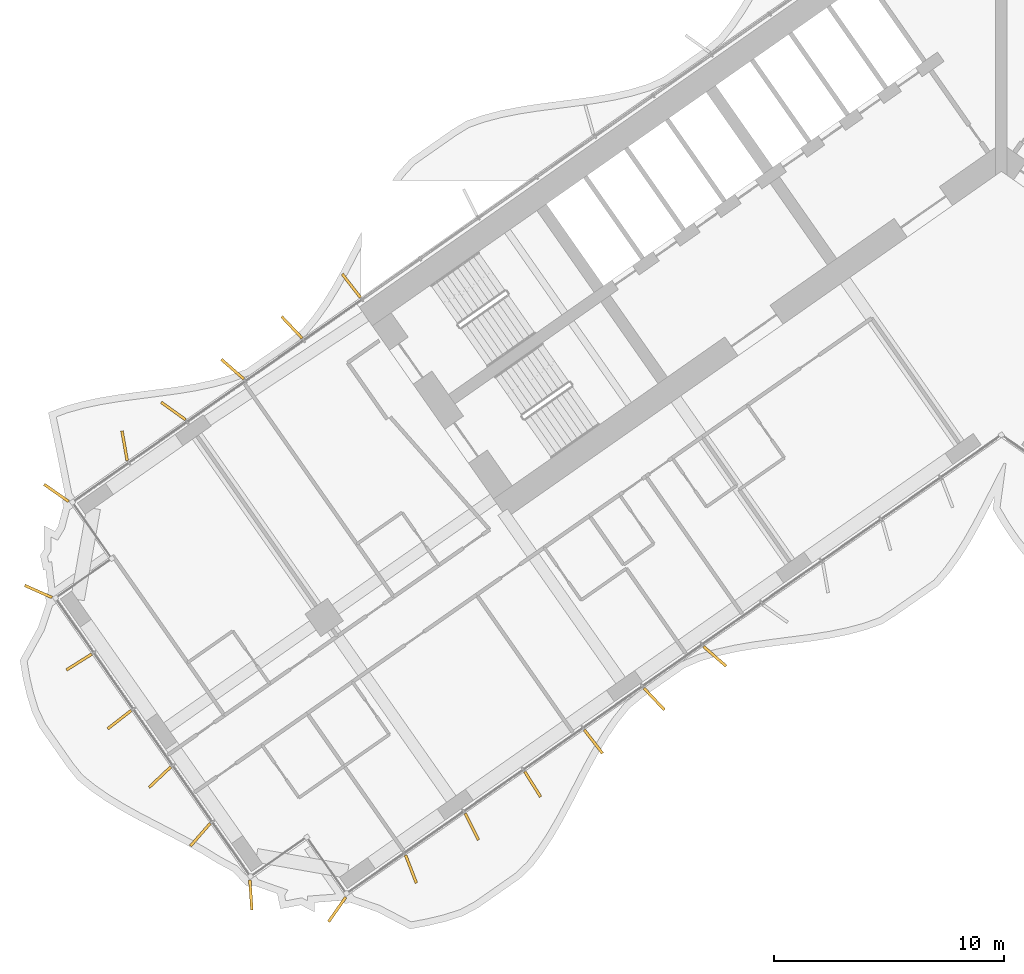
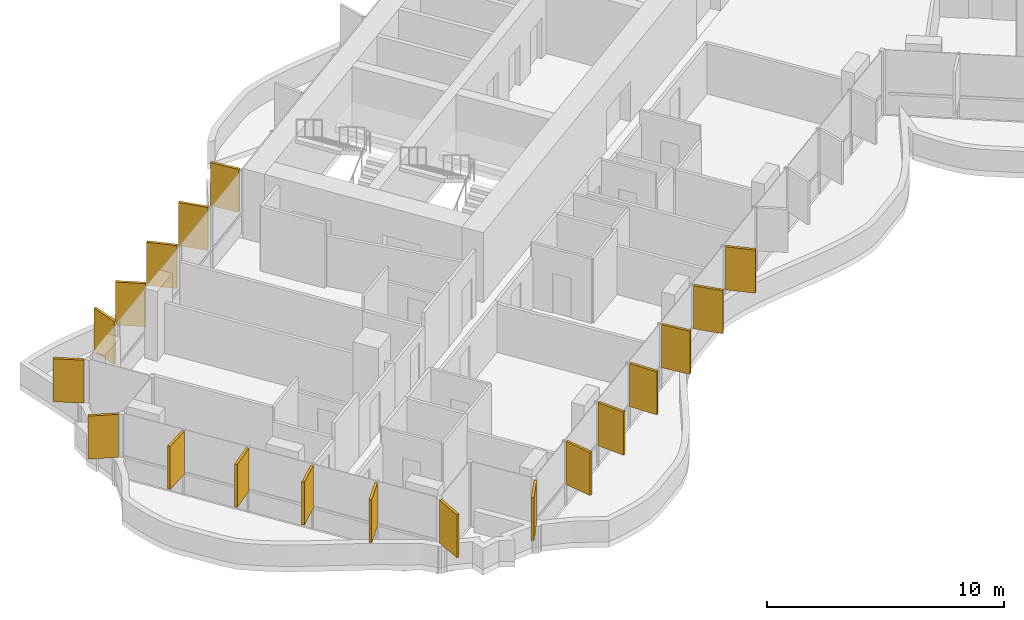
# One storey, part 18 of 23: 19 shading devices.
"""IFC4 building model written with IfcOpenShell, lengths in metres."""

import ifcopenshell
import ifcopenshell.guid

model = None  # the IFC model being written
_history = None  # IfcOwnerHistory: only IFC2X3 demands one
_inside = {}  # id of a spatial element -> (the spatial element, [elements in it])
_under = {}  # id of a project, library or spatial element -> (it, [spatial elements below it])
_declared = {}  # id of a project -> (the project, [libraries it declares])
_typed = {}  # id of a type object -> (the type object, [elements of that type])
_made_of = {}  # id of a material, layer set ... -> (it, [elements and type objects made of it])


def new_model(schema):
    """Start an empty IFC model of exactly this schema.

    Asked for "IFC4X3", IfcOpenShell would pick the latest addendum, in which some entities
    have other attributes; the version numbers below select the first issue.
    IFC2X3 requires an IfcOwnerHistory on every rooted entity: one is made here for all.
    """
    global model, _history
    if schema == "IFC4X3":
        model = ifcopenshell.file(schema_version=(4, 3, 0, 0))
    else:
        model = ifcopenshell.file(schema=schema)
    _inside.clear()
    _under.clear()
    _declared.clear()
    _typed.clear()
    _made_of.clear()
    _history = None
    if model.schema == "IFC2X3":
        org = make("IfcOrganization", Name="unknown")
        user = make(
            "IfcPersonAndOrganization",
            ThePerson=make("IfcPerson", FamilyName="unknown"),
            TheOrganization=org,
        )
        app = make(
            "IfcApplication",
            ApplicationDeveloper=org,
            Version="unknown",
            ApplicationFullName="unknown",
            ApplicationIdentifier="unknown",
        )
        _history = make(
            "IfcOwnerHistory",
            OwningUser=user,
            OwningApplication=app,
            ChangeAction="ADDED",
            CreationDate=0,
        )
    return model


def make(cls, **values):
    """One entity of the class cls with the attributes given. An attribute that is None is left unset."""
    return model.create_entity(
        cls, **{name: value for name, value in values.items() if value is not None}
    )


def rooted(cls, **values):
    """An entity with a GlobalId (a new one), such as an element, a storey or a relation."""
    return make(cls, GlobalId=ifcopenshell.guid.new(), OwnerHistory=_history, **values)


def si_unit(unit_type, name, prefix=None):
    """IfcSIUnit, for example si_unit("LENGTHUNIT", "METRE", prefix="MILLI")."""
    return make("IfcSIUnit", UnitType=unit_type, Prefix=prefix, Name=name)


def assignment(units):
    """IfcUnitAssignment: the units of a project."""
    return None if units is None else make("IfcUnitAssignment", Units=units)


def point(xyz):
    """IfcCartesianPoint."""
    return None if xyz is None else make("IfcCartesianPoint", Coordinates=xyz)


def direction(xyz):
    """IfcDirection."""
    return None if xyz is None else make("IfcDirection", DirectionRatios=xyz)


def frame(location, z_axis=None, x_axis=None):
    """IfcAxis2Placement3D, a coordinate frame: its origin and axes. An axis left out is left unset."""
    return make(
        "IfcAxis2Placement3D",
        Location=point(location),
        Axis=direction(z_axis),
        RefDirection=direction(x_axis),
    )


def frame_2d(location, x_axis=None):
    """IfcAxis2Placement2D, a coordinate frame in the plane: its origin and x axis."""
    return make(
        "IfcAxis2Placement2D", Location=point(location), RefDirection=direction(x_axis)
    )


def origin():
    """The frame at (0, 0, 0) with its axes left unset."""
    return frame((0.0, 0.0, 0.0))


def origin_2d():
    """The frame at (0, 0) in the plane with its x axis left unset."""
    return frame_2d((0.0, 0.0))


def place(relative_to, where):
    """IfcLocalPlacement: puts the frame where relative to a parent placement (None: the world)."""
    return make(
        "IfcLocalPlacement", PlacementRelTo=relative_to, RelativePlacement=where
    )


def context(
    kind, dimensions, precision=None, world=None, true_north=None, identifier=None
):
    """IfcGeometricRepresentationContext, for example the 3D "Model" context."""
    return make(
        "IfcGeometricRepresentationContext",
        ContextIdentifier=identifier,
        ContextType=kind,
        CoordinateSpaceDimension=dimensions,
        Precision=precision,
        WorldCoordinateSystem=world,
        TrueNorth=true_north,
    )


def subcontext(parent, identifier, kind, view, scale=None):
    """IfcGeometricRepresentationSubContext, for example "Body" below "Model"."""
    return make(
        "IfcGeometricRepresentationSubContext",
        ContextIdentifier=identifier,
        ContextType=kind,
        ParentContext=parent,
        TargetScale=scale,
        TargetView=view,
    )


def project(units=None, contexts=None):
    """IfcProject with its units and contexts."""
    return rooted(
        "IfcProject",
        Name="project",
        RepresentationContexts=contexts,
        UnitsInContext=assignment(units),
    )


def spatial(cls, under=None, at=None, **own):
    """A site, building, storey or space (cls), placed at a placement, below another one or the project."""
    s = rooted(cls, ObjectPlacement=at, **own)
    if under is not None:
        _under.setdefault(under.id(), (under, []))[1].append(s)
    return s


def profile(cls, at=None, kind="AREA", **sizes):
    """A parametric profile (cls). Its sizes go by their IFC names, for example OverallWidth=200.0."""
    return make(cls, ProfileType=kind, Position=at, **sizes)


def rectangle(**sizes):
    """IfcRectangleProfileDef."""
    return profile("IfcRectangleProfileDef", **sizes)


def extrude(swept, where, along, depth):
    """IfcExtrudedAreaSolid: the profile swept, set in the frame where, extruded along a direction by depth."""
    return make(
        "IfcExtrudedAreaSolid",
        SweptArea=swept,
        Position=where,
        ExtrudedDirection=direction(along),
        Depth=depth,
    )


def shape(context_of_items, identifier, shape_type, items):
    """IfcShapeRepresentation: the items that make up one representation, for example the "Body"."""
    return make(
        "IfcShapeRepresentation",
        ContextOfItems=context_of_items,
        RepresentationIdentifier=identifier,
        RepresentationType=shape_type,
        Items=items,
    )


def material(Name=None, Category=None):
    """IfcMaterial."""
    return make("IfcMaterial", Name=Name, Category=Category)


def layer(
    of_material, thickness, ventilated=None, Name=None, Category=None, Priority=None
):
    """IfcMaterialLayer: one layer of a wall or slab, of a material (None: an air gap)."""
    return make(
        "IfcMaterialLayer",
        Material=of_material,
        LayerThickness=thickness,
        IsVentilated=ventilated,
        Name=Name,
        Category=Category,
        Priority=Priority,
    )


def layer_set(layers, Name=None):
    """IfcMaterialLayerSet."""
    return make("IfcMaterialLayerSet", MaterialLayers=layers, LayerSetName=Name)


def made_of(thing, what):
    """Note that an element or type object is made of a material, layer set ...; save() writes the relation."""
    if what is not None:
        _made_of.setdefault(what.id(), (what, []))[1].append(thing)
    return thing


def type_object(cls, material=None, **own):
    """A type object (cls), such as IfcWallType, which elements share."""
    return made_of(rooted(cls, **own), material)


def element(
    cls,
    number,
    at=None,
    inside=None,
    cuts=None,
    type_object=None,
    material=None,
    context=None,
    identifier="Body",
    shape_type=None,
    held_by="IfcProductDefinitionShape",
    body=None,
    shapes=None,
    **own,
):
    """One element of the class cls, such as IfcWall. Its Tag is "e" and its number.

    at: its placement. inside: the storey or other place that contains it. cuts: it is an
    opening in that element (IfcRelVoidsElement). A single representation is given by context,
    identifier, shape_type and body (its items); several are given by shapes. held_by: the class
    of the entity that holds the representations. save() writes the other relations.
    """
    e = rooted(cls, Tag="e%d" % number, ObjectPlacement=at, **own)
    if body is not None:
        shapes = [shape(context, identifier, shape_type, body)]
    if shapes is not None:
        e.Representation = make(held_by, Representations=shapes)
    if inside is not None:
        _inside.setdefault(inside.id(), (inside, []))[1].append(e)
    if cuts is not None:
        rooted(
            "IfcRelVoidsElement", RelatingBuildingElement=cuts, RelatedOpeningElement=e
        )
    if type_object is not None:
        _typed.setdefault(type_object.id(), (type_object, []))[1].append(e)
    return made_of(e, material)


def aggregate(whole, parts):
    """IfcRelAggregates: a whole, such as a stair, and the parts it consists of."""
    return rooted("IfcRelAggregates", RelatingObject=whole, RelatedObjects=parts)


def save(model, path):
    """Write the relations noted so far, then the file.

    IfcRelAggregates (storeys below a building ...), IfcRelContainedInSpatialStructure (elements
    in a storey), IfcRelDefinesByType, IfcRelAssociatesMaterial and IfcRelDeclares: one each for
    every whole, place, type object, material and project.
    """
    for whole, parts in _under.values():
        aggregate(whole, parts)
    for where, things in _inside.values():
        rooted(
            "IfcRelContainedInSpatialStructure",
            RelatedElements=things,
            RelatingStructure=where,
        )
    for kind, things in _typed.values():
        rooted("IfcRelDefinesByType", RelatedObjects=things, RelatingType=kind)
    for what, things in _made_of.values():
        rooted("IfcRelAssociatesMaterial", RelatedObjects=things, RelatingMaterial=what)
    for by, libraries in _declared.values():
        rooted("IfcRelDeclares", RelatingContext=by, RelatedDefinitions=libraries)
    model.write(path)


model = new_model("IFC4")

# Units and contexts
model_context = context("Model", 3, precision=1e-05, world=origin(), true_north=direction((0.0, 1.0)))
body_context = subcontext(model_context, "Body", "Model", "MODEL_VIEW")
ifc_project = project(units=[si_unit("LENGTHUNIT", "METRE"), si_unit("AREAUNIT", "SQUARE_METRE"), si_unit("VOLUMEUNIT", "CUBIC_METRE"), si_unit("PLANEANGLEUNIT", "RADIAN"), si_unit("MASSUNIT", "GRAM", prefix="KILO")], contexts=[model_context])

# Site, building, storey
site_placement = place(None, origin())
site = spatial("IfcSite", under=ifc_project, at=site_placement, CompositionType="ELEMENT")
building_placement = place(site_placement, origin())
building = spatial("IfcBuilding", under=site, at=building_placement, Name="Tel Ilan Convention Tower", CompositionType="ELEMENT")
storey_placement = place(building_placement, frame((0.0, 0.0, 101.300048828125)))
storey = spatial("IfcBuildingStorey", under=building, at=storey_placement, Name="L21", CompositionType="ELEMENT", Elevation=101.300048828125)

# Shading devices
ifc_material = material(Name="Aluminium, bronze anodised", Category="aluminium")
ifc_layer = layer(ifc_material, 0.1201171875)
ifc_layer_set = layer_set([ifc_layer], Name="FIN BRONZE 1300x120")
shading_device_type = type_object("IfcShadingDeviceType", Name="FIN BRONZE 1300x120", PredefinedType="USERDEFINED", material=ifc_layer_set)
for number, where, z_axis, x_axis, name in (
    (1, (-28.3056640625, -6.206298828125, 1.10009765625), (0.0, 0.0, 1.0), (-0.612600545196, 0.790392669516, 0.0), "FIN"),
    (2, (-30.893798828125, -8.018798828125, 1.10009765625), (0.0, 0.0, 1.0), (-0.686241637865, 0.727373641577, 0.0), "FIN"),
    (3, (-33.477783203125, -9.8359375, 1.10009765625), (0.0, 0.0, 1.0), (-0.753435896329, 0.657521368568, 0.0), "FIN"),
    (4, (-36.056884765625, -11.6572265625, 1.10009765625), (0.0, 0.0, 1.0), (-0.813552070258, 0.581492071294, 0.0), "FIN"),
    (5, (-38.180908203125, -13.1669921875, 1.10009765625), (0.0, 0.0, 1.0), (-0.173648177667, 0.984807753012, 0.0), "FIN"),
    (6, (-41.147705078125, -15.226806640625, 1.10009765625), (0.0, 0.0, 1.0), (-0.819152044289, 0.573576436351, 0.0), "FIN"),
    (7, (-41.935546875, -19.516357421875, 1.10009765625), (0.0, 0.0, 1.0), (-0.914332505315, 0.404964282034, 0.0), "FIN"),
    (8, (-40.15869140625, -22.58740234375, 1.10009765625), (0.0, 0.0, 1.0), (-0.845986425922, -0.533204432798, 0.0), "FIN"),
    (9, (-38.40185546875, -25.096435546875, 1.10009765625), (0.0, 0.0, 1.0), (-0.790392669516, -0.612600545196, 0.0), "FIN"),
    (10, (-36.644775390625, -27.605224609375, 1.10009765625), (0.0, 0.0, 1.0), (-0.727373641577, -0.686241637865, 0.0), "FIN"),
    (11, (-34.88330078125, -30.109619140625, 1.10009765625), (0.0, 0.0, 1.0), (-0.657521368568, -0.753435896329, 0.0), "FIN"),
    (12, (-32.68212890625, -32.7314453125, 1.10009765625), (0.0, 0.0, 1.0), (0.067821812994, -0.997697449973, 0.0), "FIN"),
    (13, (-28.9228515625, -33.363037109375, 1.10009765625), (0.0, 0.0, 1.0), (-0.573576436351, -0.819152044289, 0.0), "FIN"),
    (14, (-25.70849609375, -31.606689453125, 1.10009765625), (0.0, 0.0, 1.0), (0.360177724803, -0.932883704733, 0.0), "FIN"),
    (15, (-23.05908203125, -29.759521484375, 1.10009765625), (0.0, 0.0, 1.0), (0.448799180206, -0.893632640321, 0.0), "FIN"),
    (16, (-20.41259765625, -27.90673828125, 1.10009765625), (0.0, 0.0, 1.0), (0.533204432798, -0.845986425922, 0.0), "FIN"),
    (17, (-17.765869140625, -26.053466796875, 1.10009765625), (0.0, 0.0, 1.0), (0.612600545196, -0.790392669516, 0.0), "FIN"),
    (18, (-15.11962890625, -24.2001953125, 1.10009765625), (0.0, 0.0, 1.0), (0.686241637865, -0.727373641577, 0.0), "FIN"),
    (19, (-12.4775390625, -22.34228515625, 1.10009765625), (0.0, 0.0, 1.0), (0.753435896329, -0.657521368568, 0.0), "FIN"),
):
    element("IfcShadingDevice", number, at=place(storey_placement, frame(where, z_axis=z_axis, x_axis=x_axis)), inside=storey, type_object=shading_device_type, Name=name, ObjectType="FIN", PredefinedType="USERDEFINED", context=body_context, shape_type="SweptSolid", body=[
        extrude(rectangle(XDim=1.300048828125, YDim=0.1201171875, at=origin_2d()), origin(), (0.0, 0.0, 1.0), 2.219970703125),
    ])

save(model, "model.ifc")
